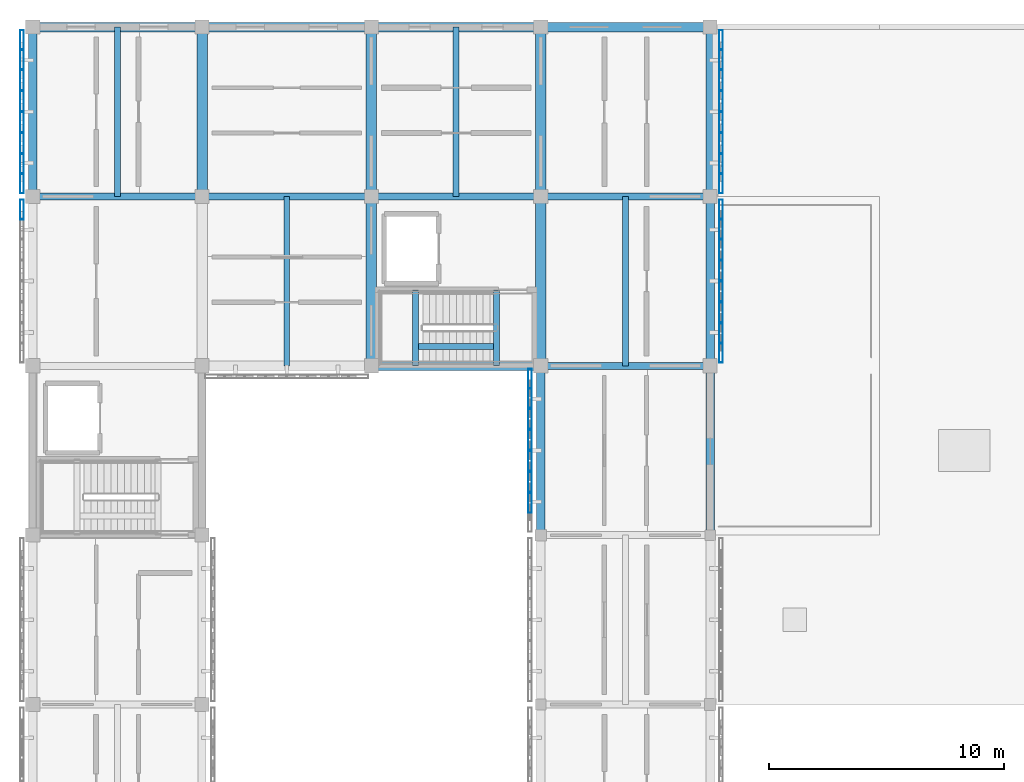
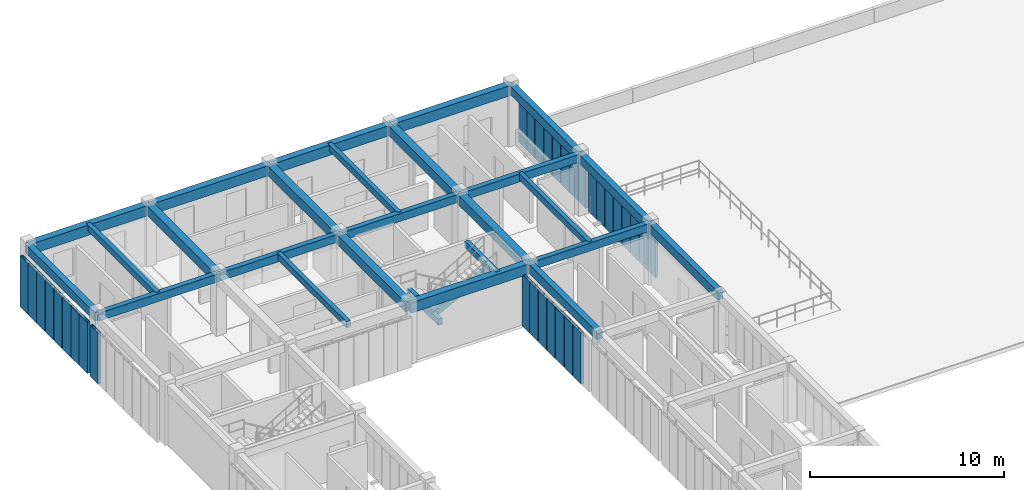
# One storey, part 8 of 67: 32 members, 27 beams, 5 elements without a shape of their own.
"""IFC4 building model written with IfcOpenShell, lengths in metres."""

from ifc_helpers import new_model, si_unit, direction, frame, origin, origin_2d, place, context, subcontext, project, spatial, rectangle, hollow_rectangle, extrude, material, material_profile, profile_set, type_object, element, aggregate, save


model = new_model("IFC4")

# Units and contexts
model_context = context("Model", 3, precision=1e-05, world=origin(), true_north=direction((0.0, 1.0)))
body_context = subcontext(model_context, "Body", "Model", "MODEL_VIEW")
ifc_project = project(units=[si_unit("LENGTHUNIT", "METRE"), si_unit("AREAUNIT", "SQUARE_METRE"), si_unit("VOLUMEUNIT", "CUBIC_METRE"), si_unit("PLANEANGLEUNIT", "RADIAN"), si_unit("MASSUNIT", "GRAM", prefix="KILO")], contexts=[model_context])

# Site, building, storey
site_placement = place(None, origin())
site = spatial("IfcSite", under=ifc_project, at=site_placement, CompositionType="ELEMENT")
building_placement = place(site_placement, origin())
building = spatial("IfcBuilding", under=site, at=building_placement, Name="Aldebral Square Health Centre", CompositionType="ELEMENT")
storey_placement = place(building_placement, frame((0.0, 0.0, 13.5)))
storey = spatial("IfcBuildingStorey", under=building, at=storey_placement, Name="L03", CompositionType="ELEMENT", Elevation=13.5)

# Beams
ifc_material_1 = material(Name="Concrete C40/50", Category="concrete")
ifc_material_profile_1 = material_profile(ifc_material_1, rectangle(XDim=0.39990234375, YDim=0.64990234375, at=origin_2d()), Name="RC 400x650")
ifc_profile_set_1 = profile_set([ifc_material_profile_1], Name="Concrete C40/50")
beam_type_1 = type_object("IfcBeamType", Name="BM-B1", PredefinedType="BEAM", material=ifc_profile_set_1)
for number, where, z_axis, x_axis, name in (
    (1, (0.0, 115.199951171875, 3.465087890625), (1.0, 0.0, 0.0), (0.0, 1.0, 0.0), "L03 X-beam 1-2/G17"),
    (2, (7.199951171875, 115.199951171875, 3.465087890625), (1.0, 0.0, 0.0), (0.0, 1.0, 0.0), "L03 X-beam 2-3/G17"),
):
    element("IfcBeam", number, at=place(storey_placement, frame(where, z_axis=z_axis, x_axis=x_axis)), inside=storey, type_object=beam_type_1, Name=name, PredefinedType="BEAM", context=body_context, shape_type="SweptSolid", body=[
        extrude(rectangle(XDim=0.39990234375, YDim=0.64990234375, at=origin_2d()), origin(), (0.0, 0.0, 1.0), 7.199951171875),
    ])
for number, where, z_axis, x_axis, name in (
    (3, (14.39990234375, 100.800048828125, 3.465087890625), (1.0, 0.0, 0.0), (0.0, 1.0, 0.0), "L03 X-beam 3-4/G15"),
    (4, (14.39990234375, 115.199951171875, 3.465087890625), (1.0, 0.0, 0.0), (0.0, 1.0, 0.0), "L03 X-beam 3-4/G17"),
):
    element("IfcBeam", number, at=place(storey_placement, frame(where, z_axis=z_axis, x_axis=x_axis)), inside=storey, type_object=beam_type_1, Name=name, PredefinedType="BEAM", context=body_context, shape_type="SweptSolid", body=[
        extrude(rectangle(XDim=0.39990234375, YDim=0.64990234375, at=origin_2d()), origin(), (0.0, 0.0, 1.0), 7.2001953125),
    ])
beam_1_placement = place(storey_placement, frame((21.60009765625, 115.199951171875, 3.465087890625), z_axis=(1.0, 0.0, 0.0), x_axis=(0.0, 1.0, 0.0)))
element("IfcBeam", 5, at=beam_1_placement, inside=storey, type_object=beam_type_1, Name="L03 X-beam 4-5/G17", PredefinedType="BEAM", context=body_context, shape_type="SweptSolid", body=[
    extrude(rectangle(XDim=0.39990234375, YDim=0.64990234375, at=origin_2d()), origin(), (0.0, 0.0, 1.0), 7.199951171875),
])
ifc_material_profile_2 = material_profile(ifc_material_1, rectangle(XDim=0.35009765625, YDim=0.550048828125, at=origin_2d()), Name="RC 350x550")
ifc_profile_set_2 = profile_set([ifc_material_profile_2], Name="Concrete C40/50")
beam_type_2 = type_object("IfcBeamType", Name="BM-B3", PredefinedType="BEAM", material=ifc_profile_set_2)
for number, where, z_axis, x_axis, name in (
    (6, (0.0, 108.0, 3.514892578125), (0.0, 1.0, 0.0), (-1.0, 0.0, 0.0), "L03 Y-beam G1/16-17"),
    (7, (21.60009765625, 93.60009765625, 3.514892578125), (0.0, 1.0, 0.0), (-1.0, 0.0, 0.0), "L03 Y-beam G4/14-15"),
    (8, (28.800048828125, 93.60009765625, 3.514892578125), (0.0, 1.0, 0.0), (-1.0, 0.0, 0.0), "L03 Y-beam G5/14-15"),
    (9, (28.800048828125, 100.800048828125, 3.514892578125), (0.0, 1.0, 0.0), (-1.0, 0.0, 0.0), "L03 Y-beam G5/15-16"),
    (10, (28.800048828125, 108.0, 3.514892578125), (0.0, 1.0, 0.0), (-1.0, 0.0, 0.0), "L03 Y-beam G5/16-17"),
):
    element("IfcBeam", number, at=place(storey_placement, frame(where, z_axis=z_axis, x_axis=x_axis)), inside=storey, type_object=beam_type_2, Name=name, PredefinedType="BEAM", context=body_context, shape_type="SweptSolid", body=[
        extrude(rectangle(XDim=0.35009765625, YDim=0.550048828125, at=origin_2d()), origin(), (0.0, 0.0, 1.0), 7.199951171875),
    ])
ifc_material_profile_3 = material_profile(ifc_material_1, rectangle(XDim=0.300048828125, YDim=0.5, at=origin_2d()), Name="RC 300x500")
ifc_profile_set_3 = profile_set([ifc_material_profile_3], Name="Concrete C40/50")
beam_type_3 = type_object("IfcBeamType", Name="BM-B4", PredefinedType="BEAM", material=ifc_profile_set_3)
for number, where, z_axis, x_axis, name in (
    (11, (0.0, 108.0, 3.5400390625), (1.0, 0.0, 0.0), (0.0, 1.0, 0.0), "L03 X-beam 1-2/G16"),
    (12, (7.199951171875, 108.0, 3.5400390625), (1.0, 0.0, 0.0), (0.0, 1.0, 0.0), "L03 X-beam 2-3/G16"),
):
    element("IfcBeam", number, at=place(storey_placement, frame(where, z_axis=z_axis, x_axis=x_axis)), inside=storey, type_object=beam_type_3, Name=name, PredefinedType="BEAM", context=body_context, shape_type="SweptSolid", body=[
        extrude(rectangle(XDim=0.300048828125, YDim=0.5, at=origin_2d()), origin(), (0.0, 0.0, 1.0), 7.199951171875),
    ])
beam_2_placement = place(storey_placement, frame((14.39990234375, 108.0, 3.5400390625), z_axis=(1.0, 0.0, 0.0), x_axis=(0.0, 1.0, 0.0)))
element("IfcBeam", 13, at=beam_2_placement, inside=storey, type_object=beam_type_3, Name="L03 X-beam 3-4/G16", PredefinedType="BEAM", context=body_context, shape_type="SweptSolid", body=[
    extrude(rectangle(XDim=0.300048828125, YDim=0.5, at=origin_2d()), origin(), (0.0, 0.0, 1.0), 7.2001953125),
])
for number, where, z_axis, x_axis, name in (
    (14, (21.60009765625, 100.800048828125, 3.5400390625), (1.0, 0.0, 0.0), (0.0, 1.0, 0.0), "L03 X-beam 4-5/G15"),
    (15, (21.60009765625, 108.0, 3.5400390625), (1.0, 0.0, 0.0), (0.0, 1.0, 0.0), "L03 X-beam 4-5/G16"),
):
    element("IfcBeam", number, at=place(storey_placement, frame(where, z_axis=z_axis, x_axis=x_axis)), inside=storey, type_object=beam_type_3, Name=name, PredefinedType="BEAM", context=body_context, shape_type="SweptSolid", body=[
        extrude(rectangle(XDim=0.300048828125, YDim=0.5, at=origin_2d()), origin(), (0.0, 0.0, 1.0), 7.199951171875),
    ])
ifc_material_profile_4 = material_profile(ifc_material_1, rectangle(XDim=0.25, YDim=0.39990234375, at=origin_2d()), Name="RC 250x400")
ifc_profile_set_4 = profile_set([ifc_material_profile_4], Name="Concrete C40/50")
beam_type_4 = type_object("IfcBeamType", Name="BM-B6", PredefinedType="JOIST", material=ifc_profile_set_4)
for number, where, z_axis, x_axis, name in (
    (16, (3.60009765625, 108.0, 3.590087890625), (0.0, 1.0, 0.0), (-1.0, 0.0, 0.0), "L03 secondary rib 1.16"),
    (17, (10.800048828125, 100.800048828125, 3.590087890625), (0.0, 1.0, 0.0), (-1.0, 0.0, 0.0), "L03 secondary rib 2.15"),
    (18, (18.0, 108.0, 3.590087890625), (0.0, 1.0, 0.0), (-1.0, 0.0, 0.0), "L03 secondary rib 3.16"),
    (19, (25.199951171875, 100.800048828125, 3.590087890625), (0.0, 1.0, 0.0), (-1.0, 0.0, 0.0), "L03 secondary rib 4.15"),
):
    element("IfcBeam", number, at=place(storey_placement, frame(where, z_axis=z_axis, x_axis=x_axis)), inside=storey, type_object=beam_type_4, Name=name, PredefinedType="JOIST", context=body_context, shape_type="SweptSolid", body=[
        extrude(rectangle(XDim=0.25, YDim=0.39990234375, at=origin_2d()), origin(), (0.0, 0.0, 1.0), 7.199951171875),
    ])
for number, where, z_axis, x_axis, name in (
    (20, (16.280029296875, 100.81005859375, 1.824951171875), (0.0, 1.0, 0.0), (-1.0, 0.0, 0.0), "L03 WC-C2 half-landing beam"),
    (21, (19.719970703125, 100.81005859375, 3.590087890625), (0.0, 1.0, 0.0), (-1.0, 0.0, 0.0), "L03 WC-C2 upper landing beam"),
):
    element("IfcBeam", number, at=place(storey_placement, frame(where, z_axis=z_axis, x_axis=x_axis)), inside=storey, type_object=beam_type_4, Name=name, PredefinedType="JOIST", context=body_context, shape_type="SweptSolid", body=[
        extrude(rectangle(XDim=0.25, YDim=0.39990234375, at=origin_2d()), origin(), (0.0, 0.0, 1.0), 3.219970703125),
    ])
beam_3_placement = place(storey_placement, frame((16.280029296875, 101.6201171875, 1.824951171875), z_axis=(0.889705675989, 0.0, 0.456534566175), x_axis=(0.0, 1.0, 0.0)))
element("IfcBeam", 22, at=beam_3_placement, inside=storey, type_object=beam_type_4, Name="L03 WC-C2 flight stringer beam", PredefinedType="JOIST", context=body_context, shape_type="SweptSolid", body=[
    extrude(rectangle(XDim=0.25, YDim=0.39990234375, at=origin_2d()), origin(), (0.0, 0.0, 1.0), 3.866455078125),
])
ifc_material_profile_5 = material_profile(ifc_material_1, rectangle(XDim=0.449951171875, YDim=0.60009765625, at=origin_2d()), Name="RC 450x600")
ifc_profile_set_5 = profile_set([ifc_material_profile_5], Name="Concrete C40/50")
beam_type_5 = type_object("IfcBeamType", Name="BM-LN1", PredefinedType="LINTEL", material=ifc_profile_set_5)
for number, where, z_axis, x_axis, name in (
    (23, (7.199951171875, 108.0, 3.489990234375), (0.0, 1.0, 0.0), (-1.0, 0.0, 0.0), "L03 Y-beam G2/16-17"),
    (24, (14.39990234375, 100.800048828125, 3.489990234375), (0.0, 1.0, 0.0), (-1.0, 0.0, 0.0), "L03 Y-beam G3/15-16"),
    (25, (14.39990234375, 108.0, 3.489990234375), (0.0, 1.0, 0.0), (-1.0, 0.0, 0.0), "L03 Y-beam G3/16-17"),
    (26, (21.60009765625, 100.800048828125, 3.489990234375), (0.0, 1.0, 0.0), (-1.0, 0.0, 0.0), "L03 Y-beam G4/15-16"),
    (27, (21.60009765625, 108.0, 3.489990234375), (0.0, 1.0, 0.0), (-1.0, 0.0, 0.0), "L03 Y-beam G4/16-17"),
):
    element("IfcBeam", number, at=place(storey_placement, frame(where, z_axis=z_axis, x_axis=x_axis)), inside=storey, type_object=beam_type_5, Name=name, PredefinedType="LINTEL", context=body_context, shape_type="SweptSolid", body=[
        extrude(rectangle(XDim=0.449951171875, YDim=0.60009765625, at=origin_2d()), origin(), (0.0, 0.0, 1.0), 7.199951171875),
    ])

# Curtain wall, member
ifc_material_2 = material(Name="Aluminium and low-E solar glass", Category="aluminium")
curtain_wall_type = type_object("IfcCurtainWallType", Name="CW-FIN-SYS", PredefinedType="USERDEFINED", material=ifc_material_2)
curtain_wall_1_placement = place(storey_placement, origin())
curtain_wall_1 = element("IfcCurtainWall", 28, at=curtain_wall_1_placement, inside=storey, type_object=curtain_wall_type, Name="L03 V4 finned curtain wall L03-V4-00-14-W", ObjectType="SOLAR_CURTAIN_WALL", PredefinedType="USERDEFINED")
ifc_material_3 = material(Name="Sienna-terracotta clad aluminium fin", Category="masonry")
ifc_material_profile_6 = material_profile(ifc_material_3, hollow_rectangle(XDim=0.159912109375, YDim=0.85009765625, WallThickness=0.006103515625, at=origin_2d()), Name="FIN 160x850x6")
ifc_profile_set_6 = profile_set([ifc_material_profile_6], Name="Sienna-terracotta clad aluminium fin")
member_type = type_object("IfcMemberType", Name="CWM-FIN", PredefinedType="MULLION", material=ifc_profile_set_6)
member_1_placement = place(storey_placement, frame((-0.4599609375, 107.43994140625, 0.0), z_axis=(0.0, 0.0, 1.0), x_axis=(1.0, 0.0, 0.0)))
member_1 = element("IfcMember", 29, at=member_1_placement, type_object=member_type, Name="CW1 mullion 1", PredefinedType="MULLION", context=body_context, shape_type="SweptSolid", body=[
    extrude(hollow_rectangle(XDim=0.159912109375, YDim=0.85009765625, WallThickness=0.006103515625, at=origin_2d()), origin(), (0.0, 0.0, 1.0), 3.239990234375),
])
aggregate(curtain_wall_1, [member_1])

# Curtain wall, members
curtain_wall_2_placement = place(storey_placement, origin())
curtain_wall_2 = element("IfcCurtainWall", 30, at=curtain_wall_2_placement, inside=storey, type_object=curtain_wall_type, Name="L03 V4 finned curtain wall L03-V4-00-15-W", ObjectType="SOLAR_CURTAIN_WALL", PredefinedType="USERDEFINED")
member_2_placement = place(storey_placement, frame((-0.4599609375, 114.639892578125, 0.0), z_axis=(0.0, 0.0, 1.0), x_axis=(1.0, 0.0, 0.0)))
member_2 = element("IfcMember", 31, at=member_2_placement, type_object=member_type, Name="CW1 mullion 1", PredefinedType="MULLION", context=body_context, shape_type="SweptSolid", body=[
    extrude(hollow_rectangle(XDim=0.159912109375, YDim=0.85009765625, WallThickness=0.006103515625, at=origin_2d()), origin(), (0.0, 0.0, 1.0), 3.239990234375),
])
member_3_placement = place(storey_placement, frame((-0.4599609375, 113.82861328125, 0.0), z_axis=(0.0, 0.0, 1.0), x_axis=(1.0, 0.0, 0.0)))
member_3 = element("IfcMember", 32, at=member_3_placement, type_object=member_type, Name="CW1 mullion 2", PredefinedType="MULLION", context=body_context, shape_type="SweptSolid", body=[
    extrude(hollow_rectangle(XDim=0.159912109375, YDim=0.85009765625, WallThickness=0.006103515625, at=origin_2d()), origin(), (0.0, 0.0, 1.0), 3.239990234375),
])
member_4_placement = place(storey_placement, frame((-0.4599609375, 112.937255859375, 0.0), z_axis=(0.0, 0.0, 1.0), x_axis=(1.0, 0.0, 0.0)))
member_4 = element("IfcMember", 33, at=member_4_placement, type_object=member_type, Name="CW1 mullion 3", PredefinedType="MULLION", context=body_context, shape_type="SweptSolid", body=[
    extrude(hollow_rectangle(XDim=0.159912109375, YDim=0.85009765625, WallThickness=0.006103515625, at=origin_2d()), origin(), (0.0, 0.0, 1.0), 3.239990234375),
])
member_5_placement = place(storey_placement, frame((-0.4599609375, 112.045654296875, 0.0), z_axis=(0.0, 0.0, 1.0), x_axis=(1.0, 0.0, 0.0)))
member_5 = element("IfcMember", 34, at=member_5_placement, type_object=member_type, Name="CW1 mullion 4", PredefinedType="MULLION", context=body_context, shape_type="SweptSolid", body=[
    extrude(hollow_rectangle(XDim=0.159912109375, YDim=0.85009765625, WallThickness=0.006103515625, at=origin_2d()), origin(), (0.0, 0.0, 1.0), 3.239990234375),
])
member_6_placement = place(storey_placement, frame((-0.4599609375, 111.154296875, 0.0), z_axis=(0.0, 0.0, 1.0), x_axis=(1.0, 0.0, 0.0)))
member_6 = element("IfcMember", 35, at=member_6_placement, type_object=member_type, Name="CW1 mullion 5", PredefinedType="MULLION", context=body_context, shape_type="SweptSolid", body=[
    extrude(hollow_rectangle(XDim=0.159912109375, YDim=0.85009765625, WallThickness=0.006103515625, at=origin_2d()), origin(), (0.0, 0.0, 1.0), 3.239990234375),
])
member_7_placement = place(storey_placement, frame((-0.4599609375, 110.262939453125, 0.0), z_axis=(0.0, 0.0, 1.0), x_axis=(1.0, 0.0, 0.0)))
member_7 = element("IfcMember", 36, at=member_7_placement, type_object=member_type, Name="CW1 mullion 6", PredefinedType="MULLION", context=body_context, shape_type="SweptSolid", body=[
    extrude(hollow_rectangle(XDim=0.159912109375, YDim=0.85009765625, WallThickness=0.006103515625, at=origin_2d()), origin(), (0.0, 0.0, 1.0), 3.239990234375),
])
member_8_placement = place(storey_placement, frame((-0.4599609375, 109.371337890625, 0.0), z_axis=(0.0, 0.0, 1.0), x_axis=(1.0, 0.0, 0.0)))
member_8 = element("IfcMember", 37, at=member_8_placement, type_object=member_type, Name="CW1 mullion 7", PredefinedType="MULLION", context=body_context, shape_type="SweptSolid", body=[
    extrude(hollow_rectangle(XDim=0.159912109375, YDim=0.85009765625, WallThickness=0.006103515625, at=origin_2d()), origin(), (0.0, 0.0, 1.0), 3.239990234375),
])
member_9_placement = place(storey_placement, frame((-0.4599609375, 108.56005859375, 0.0), z_axis=(0.0, 0.0, 1.0), x_axis=(1.0, 0.0, 0.0)))
member_9 = element("IfcMember", 38, at=member_9_placement, type_object=member_type, Name="CW1 mullion 8", PredefinedType="MULLION", context=body_context, shape_type="SweptSolid", body=[
    extrude(hollow_rectangle(XDim=0.159912109375, YDim=0.85009765625, WallThickness=0.006103515625, at=origin_2d()), origin(), (0.0, 0.0, 1.0), 3.239990234375),
])
aggregate(curtain_wall_2, [member_2, member_3, member_4, member_5, member_6, member_7, member_8, member_9])

curtain_wall_3_placement = place(storey_placement, origin())
curtain_wall_3 = element("IfcCurtainWall", 39, at=curtain_wall_3_placement, inside=storey, type_object=curtain_wall_type, Name="L03 V4 finned curtain wall L03-V4-03-13-W", ObjectType="SOLAR_CURTAIN_WALL", PredefinedType="USERDEFINED")
member_10_placement = place(storey_placement, frame((21.139892578125, 100.239990234375, 0.0), z_axis=(0.0, 0.0, 1.0), x_axis=(1.0, 0.0, 0.0)))
member_10 = element("IfcMember", 40, at=member_10_placement, type_object=member_type, Name="CW1 mullion 1", PredefinedType="MULLION", context=body_context, shape_type="SweptSolid", body=[
    extrude(hollow_rectangle(XDim=0.159912109375, YDim=0.85009765625, WallThickness=0.006103515625, at=origin_2d()), origin(), (0.0, 0.0, 1.0), 3.239990234375),
])
member_11_placement = place(storey_placement, frame((21.139892578125, 99.428466796875, 0.0), z_axis=(0.0, 0.0, 1.0), x_axis=(1.0, 0.0, 0.0)))
member_11 = element("IfcMember", 41, at=member_11_placement, type_object=member_type, Name="CW1 mullion 2", PredefinedType="MULLION", context=body_context, shape_type="SweptSolid", body=[
    extrude(hollow_rectangle(XDim=0.159912109375, YDim=0.85009765625, WallThickness=0.006103515625, at=origin_2d()), origin(), (0.0, 0.0, 1.0), 3.239990234375),
])
member_12_placement = place(storey_placement, frame((21.139892578125, 98.537109375, 0.0), z_axis=(0.0, 0.0, 1.0), x_axis=(1.0, 0.0, 0.0)))
member_12 = element("IfcMember", 42, at=member_12_placement, type_object=member_type, Name="CW1 mullion 3", PredefinedType="MULLION", context=body_context, shape_type="SweptSolid", body=[
    extrude(hollow_rectangle(XDim=0.159912109375, YDim=0.85009765625, WallThickness=0.006103515625, at=origin_2d()), origin(), (0.0, 0.0, 1.0), 3.239990234375),
])
member_13_placement = place(storey_placement, frame((21.139892578125, 97.645751953125, 0.0), z_axis=(0.0, 0.0, 1.0), x_axis=(1.0, 0.0, 0.0)))
member_13 = element("IfcMember", 43, at=member_13_placement, type_object=member_type, Name="CW1 mullion 4", PredefinedType="MULLION", context=body_context, shape_type="SweptSolid", body=[
    extrude(hollow_rectangle(XDim=0.159912109375, YDim=0.85009765625, WallThickness=0.006103515625, at=origin_2d()), origin(), (0.0, 0.0, 1.0), 3.239990234375),
])
member_14_placement = place(storey_placement, frame((21.139892578125, 96.75439453125, 0.0), z_axis=(0.0, 0.0, 1.0), x_axis=(1.0, 0.0, 0.0)))
member_14 = element("IfcMember", 44, at=member_14_placement, type_object=member_type, Name="CW1 mullion 5", PredefinedType="MULLION", context=body_context, shape_type="SweptSolid", body=[
    extrude(hollow_rectangle(XDim=0.159912109375, YDim=0.85009765625, WallThickness=0.006103515625, at=origin_2d()), origin(), (0.0, 0.0, 1.0), 3.239990234375),
])
member_15_placement = place(storey_placement, frame((21.139892578125, 95.86279296875, 0.0), z_axis=(0.0, 0.0, 1.0), x_axis=(1.0, 0.0, 0.0)))
member_15 = element("IfcMember", 45, at=member_15_placement, type_object=member_type, Name="CW1 mullion 6", PredefinedType="MULLION", context=body_context, shape_type="SweptSolid", body=[
    extrude(hollow_rectangle(XDim=0.159912109375, YDim=0.85009765625, WallThickness=0.006103515625, at=origin_2d()), origin(), (0.0, 0.0, 1.0), 3.239990234375),
])
member_16_placement = place(storey_placement, frame((21.139892578125, 94.971435546875, 0.0), z_axis=(0.0, 0.0, 1.0), x_axis=(1.0, 0.0, 0.0)))
member_16 = element("IfcMember", 46, at=member_16_placement, type_object=member_type, Name="CW1 mullion 7", PredefinedType="MULLION", context=body_context, shape_type="SweptSolid", body=[
    extrude(hollow_rectangle(XDim=0.159912109375, YDim=0.85009765625, WallThickness=0.006103515625, at=origin_2d()), origin(), (0.0, 0.0, 1.0), 3.239990234375),
])
aggregate(curtain_wall_3, [member_10, member_11, member_12, member_13, member_14, member_15, member_16])

curtain_wall_4_placement = place(storey_placement, origin())
curtain_wall_4 = element("IfcCurtainWall", 47, at=curtain_wall_4_placement, inside=storey, type_object=curtain_wall_type, Name="L03 V4 finned curtain wall L03-V4-03-14-E", ObjectType="SOLAR_CURTAIN_WALL", PredefinedType="USERDEFINED")
member_17_placement = place(storey_placement, frame((29.260009765625, 101.360107421875, 0.0), z_axis=(0.0, 0.0, 1.0), x_axis=(-1.0, 0.0, 0.0)))
member_17 = element("IfcMember", 48, at=member_17_placement, type_object=member_type, Name="CW1 mullion 1", PredefinedType="MULLION", context=body_context, shape_type="SweptSolid", body=[
    extrude(hollow_rectangle(XDim=0.159912109375, YDim=0.85009765625, WallThickness=0.006103515625, at=origin_2d()), origin(), (0.0, 0.0, 1.0), 3.239990234375),
])
member_18_placement = place(storey_placement, frame((29.260009765625, 102.17138671875, 0.0), z_axis=(0.0, 0.0, 1.0), x_axis=(-1.0, 0.0, 0.0)))
member_18 = element("IfcMember", 49, at=member_18_placement, type_object=member_type, Name="CW1 mullion 2", PredefinedType="MULLION", context=body_context, shape_type="SweptSolid", body=[
    extrude(hollow_rectangle(XDim=0.159912109375, YDim=0.85009765625, WallThickness=0.006103515625, at=origin_2d()), origin(), (0.0, 0.0, 1.0), 3.239990234375),
])
member_19_placement = place(storey_placement, frame((29.260009765625, 103.062744140625, 0.0), z_axis=(0.0, 0.0, 1.0), x_axis=(-1.0, 0.0, 0.0)))
member_19 = element("IfcMember", 50, at=member_19_placement, type_object=member_type, Name="CW1 mullion 3", PredefinedType="MULLION", context=body_context, shape_type="SweptSolid", body=[
    extrude(hollow_rectangle(XDim=0.159912109375, YDim=0.85009765625, WallThickness=0.006103515625, at=origin_2d()), origin(), (0.0, 0.0, 1.0), 3.239990234375),
])
member_20_placement = place(storey_placement, frame((29.260009765625, 103.954345703125, 0.0), z_axis=(0.0, 0.0, 1.0), x_axis=(-1.0, 0.0, 0.0)))
member_20 = element("IfcMember", 51, at=member_20_placement, type_object=member_type, Name="CW1 mullion 4", PredefinedType="MULLION", context=body_context, shape_type="SweptSolid", body=[
    extrude(hollow_rectangle(XDim=0.159912109375, YDim=0.85009765625, WallThickness=0.006103515625, at=origin_2d()), origin(), (0.0, 0.0, 1.0), 3.239990234375),
])
member_21_placement = place(storey_placement, frame((29.260009765625, 104.845703125, 0.0), z_axis=(0.0, 0.0, 1.0), x_axis=(-1.0, 0.0, 0.0)))
member_21 = element("IfcMember", 52, at=member_21_placement, type_object=member_type, Name="CW1 mullion 5", PredefinedType="MULLION", context=body_context, shape_type="SweptSolid", body=[
    extrude(hollow_rectangle(XDim=0.159912109375, YDim=0.85009765625, WallThickness=0.006103515625, at=origin_2d()), origin(), (0.0, 0.0, 1.0), 3.239990234375),
])
member_22_placement = place(storey_placement, frame((29.260009765625, 105.737060546875, 0.0), z_axis=(0.0, 0.0, 1.0), x_axis=(-1.0, 0.0, 0.0)))
member_22 = element("IfcMember", 53, at=member_22_placement, type_object=member_type, Name="CW1 mullion 6", PredefinedType="MULLION", context=body_context, shape_type="SweptSolid", body=[
    extrude(hollow_rectangle(XDim=0.159912109375, YDim=0.85009765625, WallThickness=0.006103515625, at=origin_2d()), origin(), (0.0, 0.0, 1.0), 3.239990234375),
])
member_23_placement = place(storey_placement, frame((29.260009765625, 106.628662109375, 0.0), z_axis=(0.0, 0.0, 1.0), x_axis=(-1.0, 0.0, 0.0)))
member_23 = element("IfcMember", 54, at=member_23_placement, type_object=member_type, Name="CW1 mullion 7", PredefinedType="MULLION", context=body_context, shape_type="SweptSolid", body=[
    extrude(hollow_rectangle(XDim=0.159912109375, YDim=0.85009765625, WallThickness=0.006103515625, at=origin_2d()), origin(), (0.0, 0.0, 1.0), 3.239990234375),
])
member_24_placement = place(storey_placement, frame((29.260009765625, 107.43994140625, 0.0), z_axis=(0.0, 0.0, 1.0), x_axis=(-1.0, 0.0, 0.0)))
member_24 = element("IfcMember", 55, at=member_24_placement, type_object=member_type, Name="CW1 mullion 8", PredefinedType="MULLION", context=body_context, shape_type="SweptSolid", body=[
    extrude(hollow_rectangle(XDim=0.159912109375, YDim=0.85009765625, WallThickness=0.006103515625, at=origin_2d()), origin(), (0.0, 0.0, 1.0), 3.239990234375),
])
aggregate(curtain_wall_4, [member_17, member_18, member_19, member_20, member_21, member_22, member_23, member_24])

curtain_wall_5_placement = place(storey_placement, origin())
curtain_wall_5 = element("IfcCurtainWall", 56, at=curtain_wall_5_placement, inside=storey, type_object=curtain_wall_type, Name="L03 V4 finned curtain wall L03-V4-03-15-E", ObjectType="SOLAR_CURTAIN_WALL", PredefinedType="USERDEFINED")
member_25_placement = place(storey_placement, frame((29.260009765625, 108.56005859375, 0.0), z_axis=(0.0, 0.0, 1.0), x_axis=(-1.0, 0.0, 0.0)))
member_25 = element("IfcMember", 57, at=member_25_placement, type_object=member_type, Name="CW1 mullion 1", PredefinedType="MULLION", context=body_context, shape_type="SweptSolid", body=[
    extrude(hollow_rectangle(XDim=0.159912109375, YDim=0.85009765625, WallThickness=0.006103515625, at=origin_2d()), origin(), (0.0, 0.0, 1.0), 3.239990234375),
])
member_26_placement = place(storey_placement, frame((29.260009765625, 109.371337890625, 0.0), z_axis=(0.0, 0.0, 1.0), x_axis=(-1.0, 0.0, 0.0)))
member_26 = element("IfcMember", 58, at=member_26_placement, type_object=member_type, Name="CW1 mullion 2", PredefinedType="MULLION", context=body_context, shape_type="SweptSolid", body=[
    extrude(hollow_rectangle(XDim=0.159912109375, YDim=0.85009765625, WallThickness=0.006103515625, at=origin_2d()), origin(), (0.0, 0.0, 1.0), 3.239990234375),
])
member_27_placement = place(storey_placement, frame((29.260009765625, 110.262939453125, 0.0), z_axis=(0.0, 0.0, 1.0), x_axis=(-1.0, 0.0, 0.0)))
member_27 = element("IfcMember", 59, at=member_27_placement, type_object=member_type, Name="CW1 mullion 3", PredefinedType="MULLION", context=body_context, shape_type="SweptSolid", body=[
    extrude(hollow_rectangle(XDim=0.159912109375, YDim=0.85009765625, WallThickness=0.006103515625, at=origin_2d()), origin(), (0.0, 0.0, 1.0), 3.239990234375),
])
member_28_placement = place(storey_placement, frame((29.260009765625, 111.154296875, 0.0), z_axis=(0.0, 0.0, 1.0), x_axis=(-1.0, 0.0, 0.0)))
member_28 = element("IfcMember", 60, at=member_28_placement, type_object=member_type, Name="CW1 mullion 4", PredefinedType="MULLION", context=body_context, shape_type="SweptSolid", body=[
    extrude(hollow_rectangle(XDim=0.159912109375, YDim=0.85009765625, WallThickness=0.006103515625, at=origin_2d()), origin(), (0.0, 0.0, 1.0), 3.239990234375),
])
member_29_placement = place(storey_placement, frame((29.260009765625, 112.045654296875, 0.0), z_axis=(0.0, 0.0, 1.0), x_axis=(-1.0, 0.0, 0.0)))
member_29 = element("IfcMember", 61, at=member_29_placement, type_object=member_type, Name="CW1 mullion 5", PredefinedType="MULLION", context=body_context, shape_type="SweptSolid", body=[
    extrude(hollow_rectangle(XDim=0.159912109375, YDim=0.85009765625, WallThickness=0.006103515625, at=origin_2d()), origin(), (0.0, 0.0, 1.0), 3.239990234375),
])
member_30_placement = place(storey_placement, frame((29.260009765625, 112.937255859375, 0.0), z_axis=(0.0, 0.0, 1.0), x_axis=(-1.0, 0.0, 0.0)))
member_30 = element("IfcMember", 62, at=member_30_placement, type_object=member_type, Name="CW1 mullion 6", PredefinedType="MULLION", context=body_context, shape_type="SweptSolid", body=[
    extrude(hollow_rectangle(XDim=0.159912109375, YDim=0.85009765625, WallThickness=0.006103515625, at=origin_2d()), origin(), (0.0, 0.0, 1.0), 3.239990234375),
])
member_31_placement = place(storey_placement, frame((29.260009765625, 113.82861328125, 0.0), z_axis=(0.0, 0.0, 1.0), x_axis=(-1.0, 0.0, 0.0)))
member_31 = element("IfcMember", 63, at=member_31_placement, type_object=member_type, Name="CW1 mullion 7", PredefinedType="MULLION", context=body_context, shape_type="SweptSolid", body=[
    extrude(hollow_rectangle(XDim=0.159912109375, YDim=0.85009765625, WallThickness=0.006103515625, at=origin_2d()), origin(), (0.0, 0.0, 1.0), 3.239990234375),
])
member_32_placement = place(storey_placement, frame((29.260009765625, 114.639892578125, 0.0), z_axis=(0.0, 0.0, 1.0), x_axis=(-1.0, 0.0, 0.0)))
member_32 = element("IfcMember", 64, at=member_32_placement, type_object=member_type, Name="CW1 mullion 8", PredefinedType="MULLION", context=body_context, shape_type="SweptSolid", body=[
    extrude(hollow_rectangle(XDim=0.159912109375, YDim=0.85009765625, WallThickness=0.006103515625, at=origin_2d()), origin(), (0.0, 0.0, 1.0), 3.239990234375),
])
aggregate(curtain_wall_5, [member_25, member_26, member_27, member_28, member_29, member_30, member_31, member_32])

save(model, "model.ifc")
